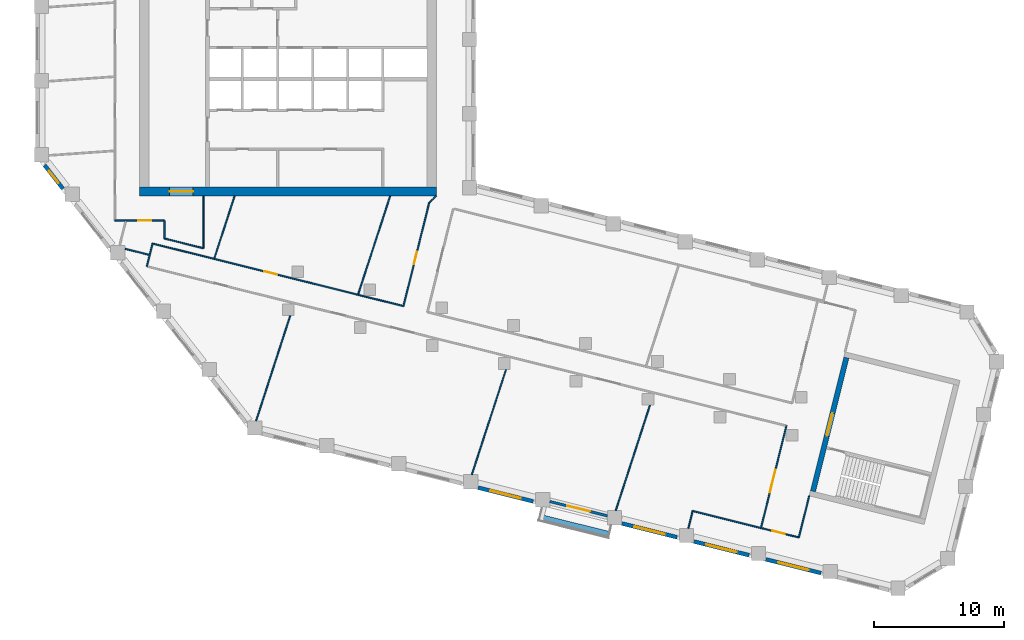
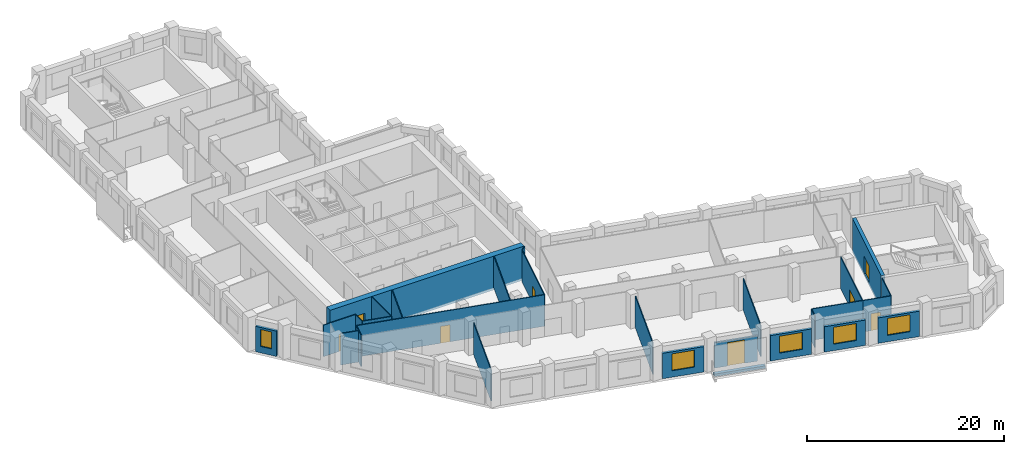
# One storey, part 3 of 10: 28 walls, 8 doors, 5 windows, 13 openings.
"""IFC4 building model written with IfcOpenShell, lengths in metres."""

from ifc_helpers import new_model, si_unit, direction, frame, frame_2d, origin, place, context, subcontext, project, spatial, rectangle, extrude, material, layer, layer_set, type_object, element, fill, save


model = new_model("IFC4")

# Units and contexts
model_context = context("Model", 3, precision=1e-05, world=origin(), true_north=direction((0.0, 1.0)))
body_context = subcontext(model_context, "Body", "Model", "MODEL_VIEW")
ifc_project = project(units=[si_unit("LENGTHUNIT", "METRE"), si_unit("AREAUNIT", "SQUARE_METRE"), si_unit("VOLUMEUNIT", "CUBIC_METRE"), si_unit("PLANEANGLEUNIT", "RADIAN"), si_unit("MASSUNIT", "GRAM", prefix="KILO")], contexts=[model_context])

# Site, building, storey
site_placement = place(None, origin())
site = spatial("IfcSite", under=ifc_project, at=site_placement, CompositionType="ELEMENT")
building_placement = place(site_placement, origin())
building = spatial("IfcBuilding", under=site, at=building_placement, Name="Meshkara Civic Tower", CompositionType="ELEMENT")
storey_placement = place(building_placement, frame((0.0, 0.0, 246.60009765625)))
storey = spatial("IfcBuildingStorey", under=building, at=storey_placement, Name="L56", CompositionType="ELEMENT", Elevation=246.60009765625)

# Wall, opening, door
ifc_material_1 = material(Name="Concrete C60", Category="concrete")
ifc_layer_1 = layer(ifc_material_1, 0.699951171875)
ifc_layer_set_1 = layer_set([ifc_layer_1], Name="Core ring wall 700 C60")
wall_type_1 = type_object("IfcWallType", Name="Core ring wall 700 C60", PredefinedType="SHEAR", material=ifc_layer_set_1)
wall_1_placement = place(storey_placement, frame((8.0, 14.449951171875, -0.300048828125), z_axis=(0.0, 0.0, 1.0), x_axis=(1.0, 0.0, 0.0)))
wall_1 = element("IfcWall", 1, at=wall_1_placement, inside=storey, type_object=wall_type_1, Name="L56-C001", PredefinedType="SHEAR", context=body_context, shape_type="SweptSolid", body=[
    extrude(rectangle(XDim=22.800048828125, YDim=0.699951171875, at=frame_2d((11.39990234375, 0.0))), origin(), (0.0, 0.0, 1.0), 4.199951171875),
])
opening_1_placement = place(wall_1_placement, frame((2.300048828125, 0.0, 0.300048828125)))
opening_1 = element("IfcOpeningElement", 2, at=opening_1_placement, cuts=wall_1, Name="Opening L56-K021", PredefinedType="OPENING", context=body_context, shape_type="SweptSolid", body=[
    extrude(rectangle(XDim=1.800048828125, YDim=2.10009765625, at=frame_2d((0.89990234375, 1.050048828125))), frame((0.0, 0.35986328125, 0.0), z_axis=(0.0, -1.0, 0.0), x_axis=(1.0, 0.0, 0.0)), (0.0, 0.0, 1.0), 0.719970703125),
])
ifc_material_2 = material(Name="Fire-rated door leaf in steel frame", Category="steel")
door_type_1 = type_object("IfcDoorType", Name="Core double door 1800 EI 60", OperationType="DOUBLE_DOOR_SINGLE_SWING", PredefinedType="DOOR", material=ifc_material_2)
door_1_placement = place(opening_1_placement, origin())
door_1 = element("IfcDoor", 3, at=door_1_placement, inside=storey, type_object=door_type_1, Name="L56-K021", OperationType="DOUBLE_DOOR_SINGLE_SWING", OverallHeight=2.10009765625, OverallWidth=1.800048828125, PredefinedType="DOOR", context=body_context, shape_type="SweptSolid", body=[
    extrude(rectangle(XDim=1.800048828125, YDim=2.10009765625, at=frame_2d((0.89990234375, 1.050048828125))), frame((0.0, 0.02490234375, 0.0), z_axis=(0.0, -1.0, 0.0), x_axis=(1.0, 0.0, 0.0)), (0.0, 0.0, 1.0), 0.050048828125),
])
fill(opening_1, door_1)

ifc_material_3 = material(Name="Corridor wall 100")
ifc_layer_2 = layer(ifc_material_3, 0.10009765625)
ifc_layer_set_2 = layer_set([ifc_layer_2], Name="Corridor wall 100")
wall_type_2 = type_object("IfcWallType", Name="Corridor wall 100", PredefinedType="PARTITIONING", material=ifc_layer_set_2)
wall_2_placement = place(storey_placement, frame((6.10009765625, 12.199951171875, 0.0), z_axis=(0.0, 0.0, 1.0), x_axis=(1.0, 0.0, 0.0)))
wall_2 = element("IfcWall", 4, at=wall_2_placement, inside=storey, type_object=wall_type_2, Name="L56-W005", PredefinedType="PARTITIONING", context=body_context, shape_type="SweptSolid", body=[
    extrude(rectangle(XDim=3.7998046875, YDim=0.10009765625, at=frame_2d((1.89990234375, 0.0))), origin(), (0.0, 0.0, 1.0), 3.89990234375),
])
opening_2_placement = place(wall_2_placement, frame((1.802001953125, 0.0, 0.0)))
opening_2 = element("IfcOpeningElement", 5, at=opening_2_placement, cuts=wall_2, Name="Opening L56-D014", PredefinedType="OPENING", context=body_context, shape_type="SweptSolid", body=[
    extrude(rectangle(XDim=1.0, YDim=2.10009765625, at=frame_2d((0.5, 1.050048828125))), frame((0.0, 0.06005859375, 0.0), z_axis=(0.0, -1.0, 0.0), x_axis=(1.0, 0.0, 0.0)), (0.0, 0.0, 1.0), 0.1201171875),
])
ifc_material_4 = material(Name="Door 1000 x 2100")
door_type_2 = type_object("IfcDoorType", Name="Door 1000 x 2100", OperationType="SINGLE_SWING_LEFT", PredefinedType="DOOR", material=ifc_material_4)
door_2_placement = place(opening_2_placement, origin())
door_2 = element("IfcDoor", 6, at=door_2_placement, inside=storey, type_object=door_type_2, Name="L56-D014", OperationType="SINGLE_SWING_RIGHT", OverallHeight=2.10009765625, OverallWidth=1.0, PredefinedType="DOOR", context=body_context, shape_type="SweptSolid", body=[
    extrude(rectangle(XDim=1.0, YDim=2.10009765625, at=frame_2d((0.5, 1.050048828125))), frame((0.0, 0.02490234375, 0.0), z_axis=(0.0, -1.0, 0.0), x_axis=(1.0, 0.0, 0.0)), (0.0, 0.0, 1.0), 0.050048828125),
])
fill(opening_2, door_2)

wall_3_placement = place(storey_placement, frame((8.988037109375, 10.43994140625, 0.0), z_axis=(0.0, 0.0, 1.0), x_axis=(0.970301223092, -0.241899848006, 0.0)))
wall_3 = element("IfcWall", 7, at=wall_3_placement, inside=storey, type_object=wall_type_2, Name="L56-W007", PredefinedType="PARTITIONING", context=body_context, shape_type="SweptSolid", body=[
    extrude(rectangle(XDim=19.87939453125, YDim=0.10009765625, at=frame_2d((9.939697265625, 0.0))), origin(), (0.0, 0.0, 1.0), 3.89990234375),
])
opening_3_placement = place(wall_3_placement, frame((8.861083984375, 0.0, 0.0)))
opening_3 = element("IfcOpeningElement", 8, at=opening_3_placement, cuts=wall_3, Name="Opening L56-D010", PredefinedType="OPENING", context=body_context, shape_type="SweptSolid", body=[
    extrude(rectangle(XDim=1.0, YDim=2.10009765625, at=frame_2d((0.5, 1.050048828125))), frame((0.0, 0.06005859375, 0.0), z_axis=(0.0, -1.0, 0.0), x_axis=(1.0, 0.0, 0.0)), (0.0, 0.0, 1.0), 0.1201171875),
])
door_3_placement = place(opening_3_placement, origin())
door_3 = element("IfcDoor", 9, at=door_3_placement, inside=storey, type_object=door_type_2, Name="L56-D010", OperationType="SINGLE_SWING_LEFT", OverallHeight=2.10009765625, OverallWidth=1.0, PredefinedType="DOOR", context=body_context, shape_type="SweptSolid", body=[
    extrude(rectangle(XDim=1.0, YDim=2.10009765625, at=frame_2d((0.5, 1.050048828125))), frame((0.0, 0.02490234375, 0.0), z_axis=(0.0, -1.0, 0.0), x_axis=(1.0, 0.0, 0.0)), (0.0, 0.0, 1.0), 0.050048828125),
])
fill(opening_3, door_3)

# Walls
wall_4_placement = place(storey_placement, frame((8.988037109375, 10.43994140625, 0.0), z_axis=(0.0, 0.0, 1.0), x_axis=(-0.242154485745, -0.970237705428, 0.0)))
element("IfcWall", 10, at=wall_4_placement, inside=storey, type_object=wall_type_2, Name="L56-W008", PredefinedType="PARTITIONING", context=body_context, shape_type="SweptSolid", body=[
    extrude(rectangle(XDim=1.80859375, YDim=0.10009765625, at=frame_2d((0.904296875, 0.0))), origin(), (0.0, 0.0, 1.0), 3.89990234375),
])
wall_5_placement = place(storey_placement, frame((9.89990234375, 10.825927734375, 0.0), z_axis=(0.0, 0.0, 1.0), x_axis=(0.970290953223, -0.241941038466, 0.0)))
element("IfcWall", 11, at=wall_5_placement, inside=storey, type_object=wall_type_2, Name="L56-W009", PredefinedType="PARTITIONING", context=body_context, shape_type="SweptSolid", body=[
    extrude(rectangle(XDim=3.091796875, YDim=0.10009765625, at=frame_2d((1.5458984375, 0.0))), origin(), (0.0, 0.0, 1.0), 3.89990234375),
])
wall_6_placement = place(storey_placement, frame((9.89990234375, 12.199951171875, 0.0), z_axis=(0.0, 0.0, 1.0), x_axis=(0.0, -1.0, 0.0)))
element("IfcWall", 12, at=wall_6_placement, inside=storey, type_object=wall_type_2, Name="L56-W010", PredefinedType="PARTITIONING", context=body_context, shape_type="SweptSolid", body=[
    extrude(rectangle(XDim=1.3740234375, YDim=0.10009765625, at=frame_2d((0.68701171875, 0.0))), origin(), (0.0, 0.0, 1.0), 3.89990234375),
])
wall_7_placement = place(storey_placement, frame((12.89990234375, 10.077880859375, 0.0), z_axis=(0.0, 0.0, 1.0), x_axis=(0.0, 1.0, 0.0)))
element("IfcWall", 13, at=wall_7_placement, inside=storey, type_object=wall_type_2, Name="L56-W016", PredefinedType="PARTITIONING", context=body_context, shape_type="SweptSolid", body=[
    extrude(rectangle(XDim=4.022216796875, YDim=0.10009765625, at=frame_2d((2.01123046875, 0.0))), origin(), (0.0, 0.0, 1.0), 3.89990234375),
])

# Wall, opening, door
wall_8_placement = place(storey_placement, frame((30.259033203125, 13.5830078125, 0.0), z_axis=(0.0, 0.0, 1.0), x_axis=(-0.241841612879, -0.970315739479, 0.0)))
wall_8 = element("IfcWall", 14, at=wall_8_placement, inside=storey, type_object=wall_type_2, Name="L56-W027", PredefinedType="PARTITIONING", context=body_context, shape_type="SweptSolid", body=[
    extrude(rectangle(XDim=8.195068359375, YDim=0.10009765625, at=frame_2d((4.09765625, 0.0))), origin(), (0.0, 0.0, 1.0), 3.89990234375),
])
opening_4_placement = place(wall_8_placement, frame((3.8798828125, 0.0, 0.0)))
opening_4 = element("IfcOpeningElement", 15, at=opening_4_placement, cuts=wall_8, Name="Opening L56-D011", PredefinedType="OPENING", context=body_context, shape_type="SweptSolid", body=[
    extrude(rectangle(XDim=1.0, YDim=2.10009765625, at=frame_2d((0.5, 1.050048828125))), frame((0.0, 0.06005859375, 0.0), z_axis=(0.0, -1.0, 0.0), x_axis=(1.0, 0.0, 0.0)), (0.0, 0.0, 1.0), 0.1201171875),
])
door_4_placement = place(opening_4_placement, origin())
door_4 = element("IfcDoor", 16, at=door_4_placement, inside=storey, type_object=door_type_2, Name="L56-D011", OperationType="SINGLE_SWING_LEFT", OverallHeight=2.10009765625, OverallWidth=1.0, PredefinedType="DOOR", context=body_context, shape_type="SweptSolid", body=[
    extrude(rectangle(XDim=1.0, YDim=2.10009765625, at=frame_2d((0.5, 1.050048828125))), frame((0.0, 0.02490234375, 0.0), z_axis=(0.0, -1.0, 0.0), x_axis=(1.0, 0.0, 0.0)), (0.0, 0.0, 1.0), 0.050048828125),
])
fill(opening_4, door_4)

# Wall
wall_9_placement = place(storey_placement, frame((30.800048828125, 14.10009765625, 0.0), z_axis=(0.0, 0.0, 1.0), x_axis=(-0.722911025189, -0.690941133281, 0.0)))
element("IfcWall", 17, at=wall_9_placement, inside=storey, type_object=wall_type_2, Name="L56-W028", PredefinedType="PARTITIONING", context=body_context, shape_type="SweptSolid", body=[
    extrude(rectangle(XDim=0.748291015625, YDim=0.10009765625, at=frame_2d((0.3740234375, 0.0))), origin(), (0.0, 0.0, 1.0), 3.89990234375),
])

# Wall, opening, door
wall_10_placement = place(storey_placement, frame((55.760986328125, -11.428955078125, 0.0), z_axis=(0.0, 0.0, 1.0), x_axis=(0.970276376031, -0.241999491975, 0.0)))
wall_10 = element("IfcWall", 18, at=wall_10_placement, inside=storey, type_object=wall_type_2, Name="L56-W031", PredefinedType="PARTITIONING", context=body_context, shape_type="SweptSolid", body=[
    extrude(rectangle(XDim=3.000244140625, YDim=0.10009765625, at=frame_2d((1.5, 0.0))), origin(), (0.0, 0.0, 1.0), 3.89990234375),
])
opening_5_placement = place(wall_10_placement, frame((0.8798828125, 0.0, 0.0)))
opening_5 = element("IfcOpeningElement", 19, at=opening_5_placement, cuts=wall_10, Name="Opening L56-D002", PredefinedType="OPENING", context=body_context, shape_type="SweptSolid", body=[
    extrude(rectangle(XDim=1.0, YDim=2.10009765625, at=frame_2d((0.5, 1.050048828125))), frame((0.0, 0.06005859375, 0.0), z_axis=(0.0, -1.0, 0.0), x_axis=(1.0, 0.0, 0.0)), (0.0, 0.0, 1.0), 0.1201171875),
])
door_5_placement = place(opening_5_placement, origin())
door_5 = element("IfcDoor", 20, at=door_5_placement, inside=storey, type_object=door_type_2, Name="L56-D002", OperationType="SINGLE_SWING_RIGHT", OverallHeight=2.10009765625, OverallWidth=1.0, PredefinedType="DOOR", context=body_context, shape_type="SweptSolid", body=[
    extrude(rectangle(XDim=1.0, YDim=2.10009765625, at=frame_2d((0.5, 1.050048828125))), frame((0.0, 0.02490234375, 0.0), z_axis=(0.0, -1.0, 0.0), x_axis=(1.0, 0.0, 0.0)), (0.0, 0.0, 1.0), 0.050048828125),
])
fill(opening_5, door_5)

wall_11_placement = place(storey_placement, frame((57.719970703125, -3.573974609375, 0.0), z_axis=(0.0, 0.0, 1.0), x_axis=(-0.241982110561, -0.970280711015, 0.0)))
wall_11 = element("IfcWall", 21, at=wall_11_placement, inside=storey, type_object=wall_type_2, Name="L56-W032", PredefinedType="PARTITIONING", context=body_context, shape_type="SweptSolid", body=[
    extrude(rectangle(XDim=8.095458984375, YDim=0.10009765625, at=frame_2d((4.0478515625, 0.0))), origin(), (0.0, 0.0, 1.0), 3.89990234375),
])
opening_6_placement = place(wall_11_placement, frame((3.47998046875, 0.0, 0.0)))
opening_6 = element("IfcOpeningElement", 22, at=opening_6_placement, cuts=wall_11, Name="Opening L56-D001", PredefinedType="OPENING", context=body_context, shape_type="SweptSolid", body=[
    extrude(rectangle(XDim=1.800048828125, YDim=2.10009765625, at=frame_2d((0.89990234375, 1.050048828125))), frame((0.0, 0.06005859375, 0.0), z_axis=(0.0, -1.0, 0.0), x_axis=(1.0, 0.0, 0.0)), (0.0, 0.0, 1.0), 0.1201171875),
])
ifc_material_5 = material(Name="Door pair 1800 x 2100")
door_type_3 = type_object("IfcDoorType", Name="Door pair 1800 x 2100", OperationType="SINGLE_SWING_LEFT", PredefinedType="DOOR", material=ifc_material_5)
door_6_placement = place(opening_6_placement, origin())
door_6 = element("IfcDoor", 23, at=door_6_placement, inside=storey, type_object=door_type_3, Name="L56-D001", OperationType="DOUBLE_DOOR_SINGLE_SWING", OverallHeight=2.10009765625, OverallWidth=1.800048828125, PredefinedType="DOOR", context=body_context, shape_type="SweptSolid", body=[
    extrude(rectangle(XDim=1.800048828125, YDim=2.10009765625, at=frame_2d((0.89990234375, 1.050048828125))), frame((0.0, 0.02490234375, 0.0), z_axis=(0.0, -1.0, 0.0), x_axis=(1.0, 0.0, 0.0)), (0.0, 0.0, 1.0), 0.050048828125),
])
fill(opening_6, door_6)

# Wall
wall_12_placement = place(storey_placement, frame((58.672119140625, -12.155029296875, 0.0), z_axis=(0.0, 0.0, 1.0), x_axis=(0.242048225647, 0.970264219922, 0.0)))
element("IfcWall", 24, at=wall_12_placement, inside=storey, type_object=wall_type_2, Name="L56-W033", PredefinedType="PARTITIONING", context=body_context, shape_type="SweptSolid", body=[
    extrude(rectangle(XDim=3.30029296875, YDim=0.10009765625, at=frame_2d((1.650146484375, 0.0))), origin(), (0.0, 0.0, 1.0), 3.89990234375),
])

# Wall, opening, window
ifc_material_6 = material(Name="Insulated infill panel with bronze anodised aluminium cladding", Category="aluminium")
ifc_layer_3 = layer(ifc_material_6, 0.300048828125)
ifc_layer_set_3 = layer_set([ifc_layer_3], Name="EXTERNAL INFILL WALL 300")
wall_type_3 = type_object("IfcWallType", Name="EXTERNAL INFILL WALL 300", PredefinedType="SOLIDWALL", material=ifc_layer_set_3)
wall_13_placement = place(storey_placement, frame((0.68896484375, 16.4619140625, 0.0), z_axis=(0.0, 0.0, 1.0), x_axis=(0.615625465473, -0.788038886262, 0.0)))
wall_13 = element("IfcWall", 25, at=wall_13_placement, inside=storey, type_object=wall_type_3, Name="External wall", PredefinedType="SOLIDWALL", context=body_context, shape_type="SweptSolid", body=[
    extrude(rectangle(XDim=2.29541015625, YDim=0.300048828125, at=frame_2d((1.147705078125, 0.0))), origin(), (0.0, 0.0, 1.0), 3.14990234375),
])
opening_7_placement = place(wall_13_placement, frame((0.548095703125, 0.0, 0.800048828125)))
opening_7 = element("IfcOpeningElement", 26, at=opening_7_placement, cuts=wall_13, Name="Opening W3", PredefinedType="OPENING", context=body_context, shape_type="SweptSolid", body=[
    extrude(rectangle(XDim=1.199951171875, YDim=2.10009765625, at=frame_2d((0.60009765625, 1.050048828125))), frame((0.0, 0.159912109375, 0.0), z_axis=(0.0, -1.0, 0.0), x_axis=(1.0, 0.0, 0.0)), (0.0, 0.0, 1.0), 0.320068359375),
])
ifc_material_7 = material(Name="Tinted double glazing", Category="glass")
window_type_1 = type_object("IfcWindowType", Name="WINDOW 1200x2100", PartitioningType="SINGLE_PANEL", PredefinedType="WINDOW", material=ifc_material_7)
window_1_placement = place(opening_7_placement, origin())
window_1 = element("IfcWindow", 27, at=window_1_placement, inside=storey, type_object=window_type_1, Name="Window", OverallHeight=2.10009765625, OverallWidth=1.199951171875, PartitioningType="SINGLE_PANEL", PredefinedType="WINDOW", context=body_context, shape_type="SweptSolid", body=[
    extrude(rectangle(XDim=1.199951171875, YDim=2.10009765625, at=frame_2d((0.60009765625, 1.050048828125))), frame((0.0, 0.030029296875, 0.0), z_axis=(0.0, -1.0, 0.0), x_axis=(1.0, 0.0, 0.0)), (0.0, 0.0, 1.0), 0.06005859375),
])
fill(opening_7, window_1)

wall_14_placement = place(storey_placement, frame((34.01708984375, -8.326904296875, 0.0), z_axis=(0.0, 0.0, 1.0), x_axis=(0.970306725873, -0.241877774353, 0.0)))
wall_14 = element("IfcWall", 28, at=wall_14_placement, inside=storey, type_object=wall_type_3, Name="External wall", PredefinedType="SOLIDWALL", context=body_context, shape_type="SweptSolid", body=[
    extrude(rectangle(XDim=4.366455078125, YDim=0.300048828125, at=frame_2d((2.18310546875, 0.0))), origin(), (0.0, 0.0, 1.0), 3.14990234375),
])
opening_8_placement = place(wall_14_placement, frame((0.98291015625, 0.0, 0.800048828125)))
opening_8 = element("IfcOpeningElement", 29, at=opening_8_placement, cuts=wall_14, Name="Opening W7", PredefinedType="OPENING", context=body_context, shape_type="SweptSolid", body=[
    extrude(rectangle(XDim=2.39990234375, YDim=2.10009765625, at=frame_2d((1.199951171875, 1.050048828125))), frame((0.0, 0.159912109375, 0.0), z_axis=(0.0, -1.0, 0.0), x_axis=(1.0, 0.0, 0.0)), (0.0, 0.0, 1.0), 0.320068359375),
])
ifc_material_8 = material(Name="Tinted double glazing", Category="glass")
window_type_2 = type_object("IfcWindowType", Name="WINDOW 2400x2100", PartitioningType="DOUBLE_PANEL_VERTICAL", PredefinedType="WINDOW", material=ifc_material_8)
window_2_placement = place(opening_8_placement, origin())
window_2 = element("IfcWindow", 30, at=window_2_placement, inside=storey, type_object=window_type_2, Name="Window", OverallHeight=2.10009765625, OverallWidth=2.39990234375, PartitioningType="DOUBLE_PANEL_VERTICAL", PredefinedType="WINDOW", context=body_context, shape_type="SweptSolid", body=[
    extrude(rectangle(XDim=2.39990234375, YDim=2.10009765625, at=frame_2d((1.199951171875, 1.050048828125))), frame((0.0, 0.030029296875, 0.0), z_axis=(0.0, -1.0, 0.0), x_axis=(1.0, 0.0, 0.0)), (0.0, 0.0, 1.0), 0.06005859375),
])
fill(opening_8, window_2)

wall_15_placement = place(storey_placement, frame((45.0791015625, -11.0849609375, 0.0), z_axis=(0.0, 0.0, 1.0), x_axis=(0.970293636985, -0.241930275135, 0.0)))
wall_15 = element("IfcWall", 31, at=wall_15_placement, inside=storey, type_object=wall_type_3, Name="External wall", PredefinedType="SOLIDWALL", context=body_context, shape_type="SweptSolid", body=[
    extrude(rectangle(XDim=4.365478515625, YDim=0.300048828125, at=frame_2d((2.1826171875, 0.0))), origin(), (0.0, 0.0, 1.0), 3.14990234375),
])
opening_9_placement = place(wall_15_placement, frame((0.98291015625, 0.0, 0.800048828125)))
opening_9 = element("IfcOpeningElement", 32, at=opening_9_placement, cuts=wall_15, Name="Opening W7", PredefinedType="OPENING", context=body_context, shape_type="SweptSolid", body=[
    extrude(rectangle(XDim=2.39990234375, YDim=2.10009765625, at=frame_2d((1.199951171875, 1.050048828125))), frame((0.0, 0.159912109375, 0.0), z_axis=(0.0, -1.0, 0.0), x_axis=(1.0, 0.0, 0.0)), (0.0, 0.0, 1.0), 0.320068359375),
])
window_3_placement = place(opening_9_placement, origin())
window_3 = element("IfcWindow", 33, at=window_3_placement, inside=storey, type_object=window_type_2, Name="Window", OverallHeight=2.10009765625, OverallWidth=2.39990234375, PartitioningType="DOUBLE_PANEL_VERTICAL", PredefinedType="WINDOW", context=body_context, shape_type="SweptSolid", body=[
    extrude(rectangle(XDim=2.39990234375, YDim=2.10009765625, at=frame_2d((1.199951171875, 1.050048828125))), frame((0.0, 0.030029296875, 0.0), z_axis=(0.0, -1.0, 0.0), x_axis=(1.0, 0.0, 0.0)), (0.0, 0.0, 1.0), 0.06005859375),
])
fill(opening_9, window_3)

wall_16_placement = place(storey_placement, frame((50.60888671875, -12.462890625, 0.0), z_axis=(0.0, 0.0, 1.0), x_axis=(0.970257492536, -0.242075191166, 0.0)))
wall_16 = element("IfcWall", 34, at=wall_16_placement, inside=storey, type_object=wall_type_3, Name="External wall", PredefinedType="SOLIDWALL", context=body_context, shape_type="SweptSolid", body=[
    extrude(rectangle(XDim=4.366943359375, YDim=0.300048828125, at=frame_2d((2.18359375, 0.0))), origin(), (0.0, 0.0, 1.0), 3.14990234375),
])
opening_10_placement = place(wall_16_placement, frame((0.98291015625, 0.0, 0.800048828125)))
opening_10 = element("IfcOpeningElement", 35, at=opening_10_placement, cuts=wall_16, Name="Opening W7", PredefinedType="OPENING", context=body_context, shape_type="SweptSolid", body=[
    extrude(rectangle(XDim=2.39990234375, YDim=2.10009765625, at=frame_2d((1.199951171875, 1.050048828125))), frame((0.0, 0.159912109375, 0.0), z_axis=(0.0, -1.0, 0.0), x_axis=(1.0, 0.0, 0.0)), (0.0, 0.0, 1.0), 0.320068359375),
])
window_4_placement = place(opening_10_placement, origin())
window_4 = element("IfcWindow", 36, at=window_4_placement, inside=storey, type_object=window_type_2, Name="Window", OverallHeight=2.10009765625, OverallWidth=2.39990234375, PartitioningType="DOUBLE_PANEL_VERTICAL", PredefinedType="WINDOW", context=body_context, shape_type="SweptSolid", body=[
    extrude(rectangle(XDim=2.39990234375, YDim=2.10009765625, at=frame_2d((1.199951171875, 1.050048828125))), frame((0.0, 0.030029296875, 0.0), z_axis=(0.0, -1.0, 0.0), x_axis=(1.0, 0.0, 0.0)), (0.0, 0.0, 1.0), 0.06005859375),
])
fill(opening_10, window_4)

wall_17_placement = place(storey_placement, frame((56.139892578125, -13.842041015625, 0.0), z_axis=(0.0, 0.0, 1.0), x_axis=(0.970270622343, -0.24202255973, 0.0)))
wall_17 = element("IfcWall", 37, at=wall_17_placement, inside=storey, type_object=wall_type_3, Name="External wall", PredefinedType="SOLIDWALL", context=body_context, shape_type="SweptSolid", body=[
    extrude(rectangle(XDim=4.366943359375, YDim=0.300048828125, at=frame_2d((2.18359375, 0.0))), origin(), (0.0, 0.0, 1.0), 3.14990234375),
])
opening_11_placement = place(wall_17_placement, frame((0.98291015625, 0.0, 0.800048828125)))
opening_11 = element("IfcOpeningElement", 38, at=opening_11_placement, cuts=wall_17, Name="Opening W7", PredefinedType="OPENING", context=body_context, shape_type="SweptSolid", body=[
    extrude(rectangle(XDim=2.39990234375, YDim=2.10009765625, at=frame_2d((1.199951171875, 1.050048828125))), frame((0.0, 0.159912109375, 0.0), z_axis=(0.0, -1.0, 0.0), x_axis=(1.0, 0.0, 0.0)), (0.0, 0.0, 1.0), 0.320068359375),
])
window_5_placement = place(opening_11_placement, origin())
window_5 = element("IfcWindow", 39, at=window_5_placement, inside=storey, type_object=window_type_2, Name="Window", OverallHeight=2.10009765625, OverallWidth=2.39990234375, PartitioningType="DOUBLE_PANEL_VERTICAL", PredefinedType="WINDOW", context=body_context, shape_type="SweptSolid", body=[
    extrude(rectangle(XDim=2.39990234375, YDim=2.10009765625, at=frame_2d((1.199951171875, 1.050048828125))), frame((0.0, 0.030029296875, 0.0), z_axis=(0.0, -1.0, 0.0), x_axis=(1.0, 0.0, 0.0)), (0.0, 0.0, 1.0), 0.06005859375),
])
fill(opening_11, window_5)

# Wall, opening, door
ifc_material_9 = material(Name="Concrete C60", Category="concrete")
ifc_layer_4 = layer(ifc_material_9, 0.39990234375)
ifc_layer_set_4 = layer_set([ifc_layer_4], Name="End core ring wall 400 C60")
wall_type_4 = type_object("IfcWallType", Name="End core ring wall 400 C60", PredefinedType="SHEAR", material=ifc_layer_set_4)
wall_18_placement = place(storey_placement, frame((59.760986328125, -8.613037109375, -0.300048828125), z_axis=(0.0, 0.0, 1.0), x_axis=(0.241971982666, 0.970283236795, 0.0)))
wall_18 = element("IfcWall", 40, at=wall_18_placement, inside=storey, type_object=wall_type_4, Name="L56-C030", PredefinedType="SHEAR", context=body_context, shape_type="SweptSolid", body=[
    extrude(rectangle(XDim=10.60009765625, YDim=0.39990234375, at=frame_2d((5.300048828125, 0.0))), origin(), (0.0, 0.0, 1.0), 4.199951171875),
])
opening_12_placement = place(wall_18_placement, frame((4.39990234375, 0.0, 0.300048828125)))
opening_12 = element("IfcOpeningElement", 41, at=opening_12_placement, cuts=wall_18, Name="Opening L56-K202", PredefinedType="OPENING", context=body_context, shape_type="SweptSolid", body=[
    extrude(rectangle(XDim=1.800048828125, YDim=2.10009765625, at=frame_2d((0.89990234375, 1.050048828125))), frame((0.0, 0.2099609375, 0.0), z_axis=(0.0, -1.0, 0.0), x_axis=(1.0, 0.0, 0.0)), (0.0, 0.0, 1.0), 0.419921875),
])
door_7_placement = place(opening_12_placement, origin())
door_7 = element("IfcDoor", 42, at=door_7_placement, inside=storey, type_object=door_type_1, Name="L56-K202", OperationType="DOUBLE_DOOR_SINGLE_SWING", OverallHeight=2.10009765625, OverallWidth=1.800048828125, PredefinedType="DOOR", context=body_context, shape_type="SweptSolid", body=[
    extrude(rectangle(XDim=1.800048828125, YDim=2.10009765625, at=frame_2d((0.89990234375, 1.050048828125))), frame((0.0, 0.02490234375, 0.0), z_axis=(0.0, -1.0, 0.0), x_axis=(1.0, 0.0, 0.0)), (0.0, 0.0, 1.0), 0.050048828125),
])
fill(opening_12, door_7)

ifc_material_10 = material(Name="Insulated infill panel with bronze anodised aluminium cladding", Category="aluminium")
ifc_layer_5 = layer(ifc_material_10, 0.199951171875)
ifc_layer_set_5 = layer_set([ifc_layer_5], Name="LOGGIA BACK WALL 200")
wall_type_5 = type_object("IfcWallType", Name="LOGGIA BACK WALL 200", PredefinedType="SOLIDWALL", material=ifc_layer_set_5)
wall_19_placement = place(storey_placement, frame((39.52392578125, -9.39111328125, 0.0), z_axis=(0.0, 0.0, 1.0), x_axis=(0.970337166083, -0.241755628927, 0.0)))
wall_19 = element("IfcWall", 43, at=wall_19_placement, inside=storey, type_object=wall_type_5, Name="Loggia wall", PredefinedType="SOLIDWALL", context=body_context, shape_type="SweptSolid", body=[
    extrude(rectangle(XDim=4.566650390625, YDim=0.199951171875, at=frame_2d((2.283203125, 0.0))), origin(), (0.0, 0.0, 1.0), 3.14990234375),
])
opening_13_placement = place(wall_19_placement, frame((1.383056640625, 0.0, 0.0)))
opening_13 = element("IfcOpeningElement", 44, at=opening_13_placement, cuts=wall_19, Name="Opening L56-L002", PredefinedType="OPENING", context=body_context, shape_type="SweptSolid", body=[
    extrude(rectangle(XDim=1.800048828125, YDim=2.89990234375, at=frame_2d((0.89990234375, 1.449951171875))), frame((0.0, 0.10986328125, 0.0), z_axis=(0.0, -1.0, 0.0), x_axis=(1.0, 0.0, 0.0)), (0.0, 0.0, 1.0), 0.219970703125),
])
ifc_material_11 = material(Name="Tinted double glazing", Category="glass")
door_type_4 = type_object("IfcDoorType", Name="LOGGIA DOOR 1800x2900", OperationType="DOUBLE_DOOR_SINGLE_SWING", PredefinedType="DOOR", material=ifc_material_11)
door_8_placement = place(opening_13_placement, origin())
door_8 = element("IfcDoor", 45, at=door_8_placement, inside=storey, type_object=door_type_4, Name="L56-L002", OperationType="DOUBLE_DOOR_SINGLE_SWING", OverallHeight=2.89990234375, OverallWidth=1.800048828125, PredefinedType="DOOR", context=body_context, shape_type="SweptSolid", body=[
    extrude(rectangle(XDim=1.800048828125, YDim=2.89990234375, at=frame_2d((0.89990234375, 1.449951171875))), frame((0.0, 0.02490234375, 0.0), z_axis=(0.0, -1.0, 0.0), x_axis=(1.0, 0.0, 0.0)), (0.0, 0.0, 1.0), 0.050048828125),
])
fill(opening_13, door_8)

# Walls
ifc_material_12 = material(Name="Concrete C40", Category="concrete")
ifc_layer_6 = layer(ifc_material_12, 0.39990234375)
ifc_layer_set_6 = layer_set([ifc_layer_6], Name="PLANTER TRAY")
wall_type_6 = type_object("IfcWallType", Name="PLANTER TRAY", PredefinedType="SOLIDWALL", material=ifc_layer_set_6)
wall_20_placement = place(storey_placement, frame((38.81689453125, -10.5849609375, 0.0), z_axis=(0.0, 0.0, 1.0), x_axis=(0.970281652924, -0.241978333739, 0.0)))
element("IfcWall", 46, at=wall_20_placement, inside=storey, type_object=wall_type_6, Name="Planter", PredefinedType="SOLIDWALL", context=body_context, shape_type="SweptSolid", body=[
    extrude(rectangle(XDim=5.360595703125, YDim=0.39990234375, at=frame_2d((2.68017578125, 0.0))), origin(), (0.0, 0.0, 1.0), 0.2998046875),
])
ifc_material_13 = material(Name="Partition 100")
ifc_layer_7 = layer(ifc_material_13, 0.10009765625)
ifc_layer_set_7 = layer_set([ifc_layer_7], Name="Partition 100")
wall_type_7 = type_object("IfcWallType", Name="Partition 100", PredefinedType="PARTITIONING", material=ifc_layer_set_7)
wall_21_placement = place(storey_placement, frame((8.719970703125, 9.573974609375, 0.0), z_axis=(0.0, 0.0, 1.0), x_axis=(-0.970240497311, 0.242143299263, 0.0)))
element("IfcWall", 47, at=wall_21_placement, inside=storey, type_object=wall_type_7, Name="L56-W044", PredefinedType="PARTITIONING", context=body_context, shape_type="SweptSolid", body=[
    extrude(rectangle(XDim=1.903564453125, YDim=0.10009765625, at=frame_2d((0.95166015625, 0.0))), origin(), (0.0, 0.0, 1.0), 3.89990234375),
])
wall_22_placement = place(storey_placement, frame((13.740966796875, 9.31005859375, 0.0), z_axis=(0.0, 0.0, 1.0), x_axis=(0.308976461467, 0.95106968528, 0.0)))
element("IfcWall", 48, at=wall_22_placement, inside=storey, type_object=wall_type_7, Name="L56-W046", PredefinedType="PARTITIONING", context=body_context, shape_type="SweptSolid", body=[
    extrude(rectangle(XDim=5.036376953125, YDim=0.10009765625, at=frame_2d((2.51806640625, 0.0))), origin(), (0.0, 0.0, 1.0), 3.89990234375),
])
wall_23_placement = place(storey_placement, frame((16.946044921875, -3.18798828125, 0.0), z_axis=(0.0, 0.0, 1.0), x_axis=(0.308984279279, 0.951067145452, 0.0)))
element("IfcWall", 49, at=wall_23_placement, inside=storey, type_object=wall_type_7, Name="L56-W047", PredefinedType="PARTITIONING", context=body_context, shape_type="SweptSolid", body=[
    extrude(rectangle(XDim=8.5146484375, YDim=0.10009765625, at=frame_2d((4.25732421875, 0.0))), origin(), (0.0, 0.0, 1.0), 3.89990234375),
])
wall_24_placement = place(storey_placement, frame((24.802978515625, 6.552001953125, 0.0), z_axis=(0.0, 0.0, 1.0), x_axis=(0.308946255954, 0.951079497693, 0.0)))
element("IfcWall", 50, at=wall_24_placement, inside=storey, type_object=wall_type_7, Name="L56-W049", PredefinedType="PARTITIONING", context=body_context, shape_type="SweptSolid", body=[
    extrude(rectangle(XDim=7.936279296875, YDim=0.10009765625, at=frame_2d((3.96826171875, 0.0))), origin(), (0.0, 0.0, 1.0), 3.89990234375),
])
wall_25_placement = place(storey_placement, frame((33.5380859375, -7.324951171875, 0.0), z_axis=(0.0, 0.0, 1.0), x_axis=(0.308984279279, 0.951067145452, 0.0)))
element("IfcWall", 51, at=wall_25_placement, inside=storey, type_object=wall_type_7, Name="L56-W050", PredefinedType="PARTITIONING", context=body_context, shape_type="SweptSolid", body=[
    extrude(rectangle(XDim=8.5146484375, YDim=0.10009765625, at=frame_2d((4.25732421875, 0.0))), origin(), (0.0, 0.0, 1.0), 3.89990234375),
])
wall_26_placement = place(storey_placement, frame((44.59912109375, -10.08203125, 0.0), z_axis=(0.0, 0.0, 1.0), x_axis=(0.309121734115, 0.951022477914, 0.0)))
element("IfcWall", 52, at=wall_26_placement, inside=storey, type_object=wall_type_7, Name="L56-W051", PredefinedType="PARTITIONING", context=body_context, shape_type="SweptSolid", body=[
    extrude(rectangle(XDim=8.513916015625, YDim=0.10009765625, at=frame_2d((4.2568359375, 0.0))), origin(), (0.0, 0.0, 1.0), 3.89990234375),
])
wall_27_placement = place(storey_placement, frame((50.172119140625, -11.4609375, 0.0), z_axis=(0.0, 0.0, 1.0), x_axis=(0.242161836409, 0.9702358708, 0.0)))
element("IfcWall", 53, at=wall_27_placement, inside=storey, type_object=wall_type_7, Name="L56-W053", PredefinedType="PARTITIONING", context=body_context, shape_type="SweptSolid", body=[
    extrude(rectangle(XDim=1.38330078125, YDim=0.10009765625, at=frame_2d((0.691650390625, 0.0))), origin(), (0.0, 0.0, 1.0), 3.89990234375),
])
wall_28_placement = place(storey_placement, frame((50.507080078125, -10.118896484375, 0.0), z_axis=(0.0, 0.0, 1.0), x_axis=(0.970290732875, -0.241941922155, 0.0)))
element("IfcWall", 54, at=wall_28_placement, inside=storey, type_object=wall_type_7, Name="L56-W054", PredefinedType="PARTITIONING", context=body_context, shape_type="SweptSolid", body=[
    extrude(rectangle(XDim=5.418701171875, YDim=0.10009765625, at=frame_2d((2.70947265625, 0.0))), origin(), (0.0, 0.0, 1.0), 3.89990234375),
])

save(model, "model.ifc")
